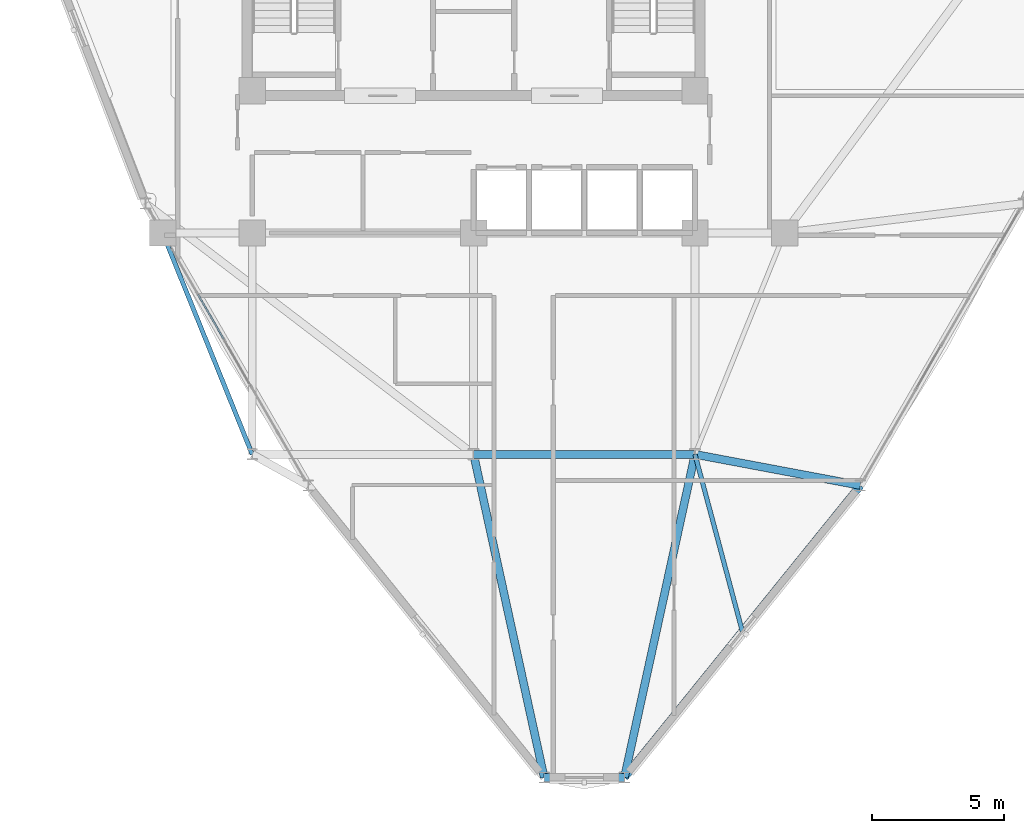
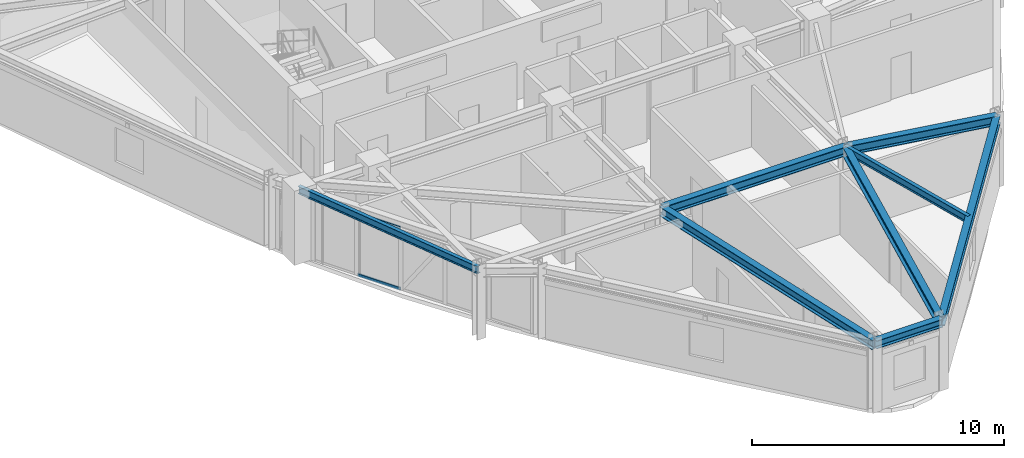
# One storey, part 3 of 18: 8 beams, 2 members, 1 element without a shape of its own.
"""IFC4 building model written with IfcOpenShell, lengths in metres."""

from ifc_helpers import new_model, si_unit, derived_unit, direction, frame, origin, origin_2d, place, context, subcontext, project, spatial, hollow_rectangle, i_section, extrude, source, transform, mapped, material, layer, layer_set, material_profile, profile_set, type_object, element, aggregate, save


model = new_model("IFC4")

# Units and contexts
model_context = context("Model", 3, precision=1e-05, world=origin(), true_north=direction((0.0, 1.0)))
body_context = subcontext(model_context, "Body", "Model", "MODEL_VIEW")
ifc_project = project(units=[si_unit("LENGTHUNIT", "METRE"), si_unit("AREAUNIT", "SQUARE_METRE"), si_unit("VOLUMEUNIT", "CUBIC_METRE"), si_unit("PLANEANGLEUNIT", "RADIAN"), si_unit("MASSUNIT", "GRAM", prefix="KILO"), derived_unit("THERMALTRANSMITTANCEUNIT", [(si_unit("POWERUNIT", "WATT"), 1), (si_unit("LENGTHUNIT", "METRE"), -2), (si_unit("THERMODYNAMICTEMPERATUREUNIT", "KELVIN"), -1)])], contexts=[model_context])

# Site, building, storey
site_placement = place(None, origin())
site = spatial("IfcSite", under=ifc_project, at=site_placement, CompositionType="ELEMENT")
building_placement = place(site_placement, origin())
building = spatial("IfcBuilding", under=site, at=building_placement, Name="Korsvarv Bourse and Concert Hall", CompositionType="ELEMENT")
storey_placement = place(building_placement, frame((0.0, 0.0, 209.39990234375)))
storey = spatial("IfcBuildingStorey", under=building, at=storey_placement, Name="L54", CompositionType="ELEMENT", Elevation=209.39990234375)

# Beams
ifc_material_1 = material(Name="Steel S355", Category="steel")
ifc_material_profile_1 = material_profile(ifc_material_1, i_section(OverallWidth=0.169921875, OverallDepth=0.360107421875, WebThickness=0.008056640625, FlangeThickness=0.0126953125, FilletRadius=0.01806640625, at=origin_2d()), Name="IPE 360")
ifc_profile_set_1 = profile_set([ifc_material_profile_1], Name="Steel S355")
beam_type_1 = type_object("IfcBeamType", Name="BM-IPE360", PredefinedType="JOIST", material=ifc_profile_set_1)
shared_shape_1 = source(origin(), body_context, "Body", "SweptSolid", [
    extrude(i_section(OverallWidth=0.169921875, OverallDepth=0.360107421875, WebThickness=0.008056640625, FlangeThickness=0.0126953125, FilletRadius=0.01806640625, at=origin_2d()), origin(), (0.0, 0.0, 1.0), 9.06201171875),
])
beam_1_placement = place(storey_placement, frame((24.199951171875, 32.39990234375, 3.22998046875), z_axis=(0.375210394783, -0.926939674222, 0.0), x_axis=(0.926939674222, 0.375210394783, 0.0)))
element("IfcBeam", 1, at=beam_1_placement, inside=storey, type_object=beam_type_1, Name="L54 beam J-06", PredefinedType="JOIST", context=body_context, shape_type="MappedRepresentation", body=[
    mapped(shared_shape_1, transform((0.0, 0.0, 0.0), scale=1.0)),
])
ifc_material_profile_2 = material_profile(ifc_material_1, i_section(OverallWidth=0.300048828125, OverallDepth=0.449951171875, WebThickness=0.013916015625, FlangeThickness=0.02587890625, FilletRadius=0.02099609375, at=origin_2d()), Name="HEB 450")
ifc_profile_set_2 = profile_set([ifc_material_profile_2], Name="Steel S355")
beam_type_2 = type_object("IfcBeamType", Name="BM-HEB450", PredefinedType="SPANDREL", material=ifc_profile_set_2)
shared_shape_2 = source(origin(), body_context, "Body", "SweptSolid", [
    extrude(i_section(OverallWidth=0.300048828125, OverallDepth=0.449951171875, WebThickness=0.013916015625, FlangeThickness=0.02587890625, FilletRadius=0.02099609375, at=origin_2d()), origin(), (0.0, 0.0, 1.0), 8.39990234375),
])
beam_2_placement = place(storey_placement, frame((36.0, 24.0, 3.18505859375), z_axis=(1.0, 0.0, 0.0), x_axis=(0.0, 1.0, 0.0)))
element("IfcBeam", 2, at=beam_2_placement, inside=storey, type_object=beam_type_2, Name="L54 beam B-08", PredefinedType="SPANDREL", context=body_context, shape_type="MappedRepresentation", body=[
    mapped(shared_shape_2, transform((0.0, 0.0, 0.0), scale=1.0)),
])
ifc_material_profile_3 = material_profile(ifc_material_1, i_section(OverallWidth=0.300048828125, OverallDepth=0.389892578125, WebThickness=0.010986328125, FlangeThickness=0.01904296875, FilletRadius=0.02099609375, at=origin_2d()), Name="HEA 400")
ifc_profile_set_3 = profile_set([ifc_material_profile_3], Name="Steel S355")
beam_type_3 = type_object("IfcBeamType", Name="BM-HEA400", PredefinedType="BEAM", material=ifc_profile_set_3)
shared_shape_3 = source(origin(), body_context, "Body", "SweptSolid", [
    extrude(i_section(OverallWidth=0.300048828125, OverallDepth=0.389892578125, WebThickness=0.010986328125, FlangeThickness=0.01904296875, FilletRadius=0.02099609375, at=origin_2d()), origin(), (0.0, 0.0, 1.0), 3.044189453125),
])
beam_3_placement = place(storey_placement, frame((38.677978515625, 11.74072265625, 3.215087890625), z_axis=(1.0, 0.0, 0.0), x_axis=(0.0, 1.0, 0.0)))
element("IfcBeam", 3, at=beam_3_placement, inside=storey, type_object=beam_type_3, Name="L54 beam B-11", PredefinedType="BEAM", context=body_context, shape_type="MappedRepresentation", body=[
    mapped(shared_shape_3, transform((0.0, 0.0, 0.0), scale=1.0)),
])
shared_shape_4 = source(origin(), body_context, "Body", "SweptSolid", [
    extrude(i_section(OverallWidth=0.300048828125, OverallDepth=0.389892578125, WebThickness=0.010986328125, FlangeThickness=0.01904296875, FilletRadius=0.02099609375, at=origin_2d()), origin(), (0.0, 0.0, 1.0), 14.24462890625),
])
beam_4_placement = place(storey_placement, frame((41.72216796875, 11.74072265625, 3.215087890625), z_axis=(0.628514621162, 0.77779776998, 0.0), x_axis=(-0.77779776998, 0.628514621162, 0.0)))
element("IfcBeam", 4, at=beam_4_placement, inside=storey, type_object=beam_type_3, Name="L54 beam B-11", PredefinedType="BEAM", context=body_context, shape_type="MappedRepresentation", body=[
    mapped(shared_shape_4, transform((0.0, 0.0, 0.0), scale=1.0)),
])
shared_shape_5 = source(origin(), body_context, "Body", "SweptSolid", [
    extrude(i_section(OverallWidth=0.300048828125, OverallDepth=0.449951171875, WebThickness=0.013916015625, FlangeThickness=0.02587890625, FilletRadius=0.02099609375, at=origin_2d()), origin(), (0.0, 0.0, 1.0), 12.54833984375),
])
for number, where, z_axis, x_axis, name in (
    (5, (38.677978515625, 11.74072265625, 3.18505859375), (-0.213412555087, 0.976962169857, 0.0), (-0.976962169857, -0.213412555087, 0.0), "L54 beam B-08"),
    (6, (41.72216796875, 11.74072265625, 3.18505859375), (0.213393985121, 0.976966226189, 0.0), (-0.976966226189, 0.213393985121, 0.0), "L54 beam B-08"),
):
    element("IfcBeam", number, at=place(storey_placement, frame(where, z_axis=z_axis, x_axis=x_axis)), inside=storey, type_object=beam_type_2, Name=name, PredefinedType="SPANDREL", context=body_context, shape_type="MappedRepresentation", body=[
        mapped(shared_shape_5, transform((0.0, 0.0, 0.0), scale=1.0)),
    ])
shared_shape_6 = source(origin(), body_context, "Body", "SweptSolid", [
    extrude(i_section(OverallWidth=0.300048828125, OverallDepth=0.449951171875, WebThickness=0.013916015625, FlangeThickness=0.02587890625, FilletRadius=0.02099609375, at=origin_2d()), origin(), (0.0, 0.0, 1.0), 6.385009765625),
])
beam_5_placement = place(storey_placement, frame((50.675048828125, 22.820068359375, 3.18505859375), z_axis=(-0.982777260735, 0.184794090228, 0.0), x_axis=(-0.184794090228, -0.982777260735, 0.0)))
element("IfcBeam", 7, at=beam_5_placement, inside=storey, type_object=beam_type_2, Name="L54 beam B-08", PredefinedType="SPANDREL", context=body_context, shape_type="MappedRepresentation", body=[
    mapped(shared_shape_6, transform((0.0, 0.0, 0.0), scale=1.0)),
])
shared_shape_7 = source(origin(), body_context, "Body", "SweptSolid", [
    extrude(i_section(OverallWidth=0.169921875, OverallDepth=0.360107421875, WebThickness=0.008056640625, FlangeThickness=0.0126953125, FilletRadius=0.01806640625, at=origin_2d()), origin(), (0.0, 0.0, 1.0), 6.9560546875),
])
beam_6_placement = place(storey_placement, frame((46.198486328125, 17.280517578125, 3.22998046875), z_axis=(-0.258564738392, 0.965993931689, 0.0), x_axis=(-0.965993931689, -0.258564738392, 0.0)))
element("IfcBeam", 8, at=beam_6_placement, inside=storey, type_object=beam_type_1, Name="L54 beam J-06", PredefinedType="JOIST", context=body_context, shape_type="MappedRepresentation", body=[
    mapped(shared_shape_7, transform((0.0, 0.0, 0.0), scale=1.0)),
])

# Curtain wall, members
ifc_material_2 = material(Name="Anodised aluminium and triple low-E glazing", Category="glass")
ifc_layer = layer(ifc_material_2, 0.199951171875)
ifc_layer_set = layer_set([ifc_layer], Name="Anodised aluminium and triple low-E glazing")
curtain_wall_type = type_object("IfcCurtainWallType", Name="CW-SYS-3", PredefinedType="NOTDEFINED", material=ifc_layer_set)
curtain_wall_placement = place(storey_placement, origin())
curtain_wall = element("IfcCurtainWall", 9, at=curtain_wall_placement, inside=storey, type_object=curtain_wall_type, Name="L54 CW3 curtain wall CW-L54-F07-2", PredefinedType="NOTDEFINED")
ifc_material_3 = material(Name="Extruded aluminium EN AW-6063 T66", Category="aluminium")
ifc_material_profile_4 = material_profile(ifc_material_3, hollow_rectangle(XDim=0.06494140625, YDim=0.139892578125, WallThickness=0.00390625, at=origin_2d()), Name="ALU-T 65x140")
ifc_profile_set_4 = profile_set([ifc_material_profile_4], Name="Extruded aluminium EN AW-6063 T66")
member_type = type_object("IfcMemberType", Name="CWT-140", PredefinedType="USERDEFINED", material=ifc_profile_set_4)
shared_shape_8 = source(origin(), body_context, "Body", "SweptSolid", [
    extrude(hollow_rectangle(XDim=0.06494140625, YDim=0.139892578125, WallThickness=0.00390625, at=origin_2d()), origin(), (0.0, 0.0, 1.0), 1.955810546875),
])
member_1_placement = place(storey_placement, frame((25.541748046875, 30.065185546875, 0.03271484375), z_axis=(0.500086243919, -0.865975605109, 0.0), x_axis=(0.865975605109, 0.500086243919, 0.0)))
member_1 = element("IfcMember", 10, at=member_1_placement, type_object=member_type, Name="CW3 transom 2.1", ObjectType="TRANSOM", PredefinedType="USERDEFINED", context=body_context, shape_type="MappedRepresentation", body=[
    mapped(shared_shape_8, transform((0.0, 0.0, 0.0), scale=1.0)),
])
member_2_placement = place(storey_placement, frame((25.541748046875, 30.065185546875, 2.987548828125), z_axis=(0.500086243919, -0.865975605109, 0.0), x_axis=(0.865975605109, 0.500086243919, 0.0)))
member_2 = element("IfcMember", 11, at=member_2_placement, type_object=member_type, Name="CW3 transom 2.2", ObjectType="TRANSOM", PredefinedType="USERDEFINED", context=body_context, shape_type="MappedRepresentation", body=[
    mapped(shared_shape_8, transform((0.0, 0.0, 0.0), scale=1.0)),
])
aggregate(curtain_wall, [member_1, member_2])

save(model, "model.ifc")
